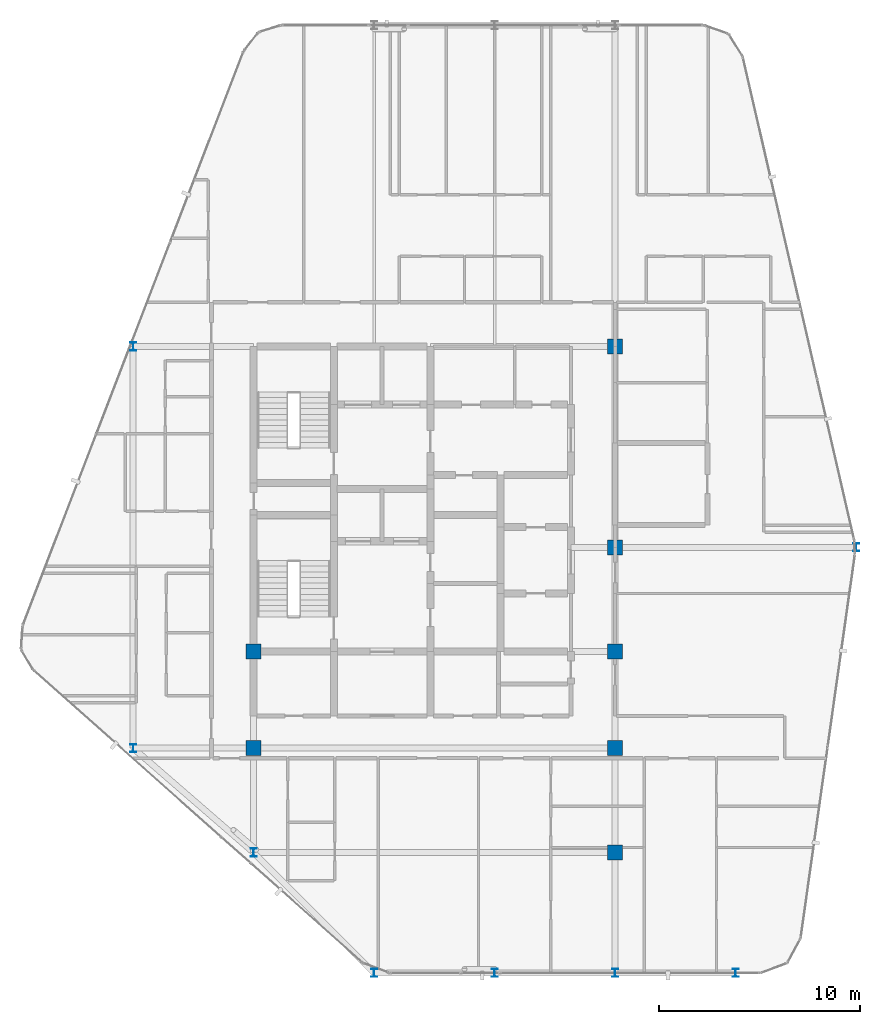
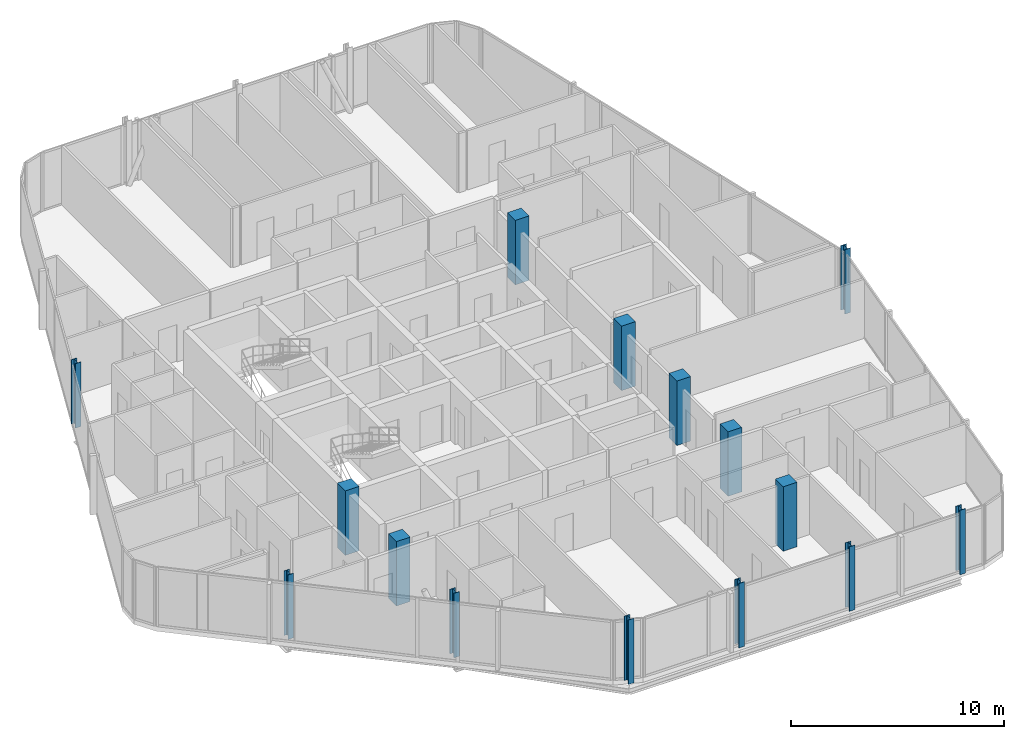
# One storey, part 1 of 28: 15 columns.
"""IFC4 building model written with IfcOpenShell, lengths in metres."""

from ifc_helpers import new_model, si_unit, direction, frame, origin, origin_2d, place, context, subcontext, project, spatial, rectangle, i_section, extrude, material, material_profile, profile_set, type_object, element, save


model = new_model("IFC4")

# Units and contexts
model_context = context("Model", 3, precision=1e-05, world=origin(), true_north=direction((0.0, 1.0)))
body_context = subcontext(model_context, "Body", "Model", "MODEL_VIEW")
ifc_project = project(units=[si_unit("LENGTHUNIT", "METRE"), si_unit("AREAUNIT", "SQUARE_METRE"), si_unit("VOLUMEUNIT", "CUBIC_METRE"), si_unit("PLANEANGLEUNIT", "RADIAN"), si_unit("MASSUNIT", "GRAM", prefix="KILO")], contexts=[model_context])

# Site, building, storey
site_placement = place(None, origin())
site = spatial("IfcSite", under=ifc_project, at=site_placement, CompositionType="ELEMENT")
building_placement = place(site_placement, origin())
building = spatial("IfcBuilding", under=site, at=building_placement, Name="Keshet Zoharim Tower", CompositionType="ELEMENT")
storey_placement = place(building_placement, frame((0.0, 0.0, 265.800048828125)))
storey = spatial("IfcBuildingStorey", under=building, at=storey_placement, Name="L66", CompositionType="ELEMENT", Elevation=265.800048828125)

# Columns
ifc_material_1 = material(Name="Steel S355", Category="steel")
ifc_material_profile_1 = material_profile(ifc_material_1, i_section(OverallWidth=0.300048828125, OverallDepth=0.39990234375, WebThickness=0.013427734375, FlangeThickness=0.02392578125, FilletRadius=0.027099609375, at=origin_2d()), Name="HEB400")
ifc_profile_set_1 = profile_set([ifc_material_profile_1], Name="Steel S355")
column_type_1 = type_object("IfcColumnType", Name="COL-HEB400", PredefinedType="COLUMN", material=ifc_profile_set_1)
for number, where, z_axis, x_axis, name in (
    (1, (9.0, 17.89990234375, 0.0), (0.0, 0.0, 1.0), (1.0, 0.0, 0.0), "L66 Column 2D"),
    (2, (9.0, 37.89990234375, 0.0), (0.0, 0.0, 1.0), (1.0, 0.0, 0.0), "L66 Column 2H"),
    (3, (15.0, 12.699951171875, 0.0), (0.0, 0.0, 1.0), (1.0, 0.0, 0.0), "L66 Column 3C"),
    (4, (21.0, 6.699951171875, 0.0), (0.0, 0.0, 1.0), (1.0, 0.0, 0.0), "L66 Column 4B"),
    (5, (27.0, 6.699951171875, 0.0), (0.0, 0.0, 1.0), (1.0, 0.0, 0.0), "L66 Column 5B"),
    (6, (33.0, 6.699951171875, 0.0), (0.0, 0.0, 1.0), (1.0, 0.0, 0.0), "L66 Column 6B"),
    (7, (39.0, 6.699951171875, 0.0), (0.0, 0.0, 1.0), (1.0, 0.0, 0.0), "L66 Column 7B"),
    (8, (45.0, 27.89990234375, 0.0), (0.0, 0.0, 1.0), (1.0, 0.0, 0.0), "L66 Column 8F"),
):
    element("IfcColumn", number, at=place(storey_placement, frame(where, z_axis=z_axis, x_axis=x_axis)), inside=storey, type_object=column_type_1, Name=name, PredefinedType="COLUMN", context=body_context, shape_type="SweptSolid", body=[
        extrude(i_section(OverallWidth=0.300048828125, OverallDepth=0.39990234375, WebThickness=0.013427734375, FlangeThickness=0.02392578125, FilletRadius=0.027099609375, at=origin_2d()), origin(), (0.0, 0.0, 1.0), 3.699951171875),
    ])
ifc_material_2 = material(Name="Concrete C50/60", Category="concrete")
ifc_material_profile_2 = material_profile(ifc_material_2, rectangle(XDim=0.75, YDim=0.75, at=origin_2d()), Name="RC750x750")
ifc_profile_set_2 = profile_set([ifc_material_profile_2], Name="Concrete C50/60")
column_type_2 = type_object("IfcColumnType", Name="COL-RC750", PredefinedType="COLUMN", material=ifc_profile_set_2)
for number, where, z_axis, x_axis, name in (
    (9, (15.0, 17.89990234375, 0.0), (0.0, 0.0, 1.0), (1.0, 0.0, 0.0), "L66 Column 3D"),
    (10, (15.0, 22.699951171875, 0.0), (0.0, 0.0, 1.0), (1.0, 0.0, 0.0), "L66 Column 3E"),
    (11, (33.0, 12.699951171875, 0.0), (0.0, 0.0, 1.0), (1.0, 0.0, 0.0), "L66 Column 6C"),
    (12, (33.0, 17.89990234375, 0.0), (0.0, 0.0, 1.0), (1.0, 0.0, 0.0), "L66 Column 6D"),
    (13, (33.0, 22.699951171875, 0.0), (0.0, 0.0, 1.0), (1.0, 0.0, 0.0), "L66 Column 6E"),
    (14, (33.0, 27.89990234375, 0.0), (0.0, 0.0, 1.0), (1.0, 0.0, 0.0), "L66 Column 6F"),
    (15, (33.0, 37.89990234375, 0.0), (0.0, 0.0, 1.0), (1.0, 0.0, 0.0), "L66 Column 6H"),
):
    element("IfcColumn", number, at=place(storey_placement, frame(where, z_axis=z_axis, x_axis=x_axis)), inside=storey, type_object=column_type_2, Name=name, PredefinedType="COLUMN", context=body_context, shape_type="SweptSolid", body=[
        extrude(rectangle(XDim=0.75, YDim=0.75, at=origin_2d()), origin(), (0.0, 0.0, 1.0), 3.699951171875),
    ])

save(model, "model.ifc")
